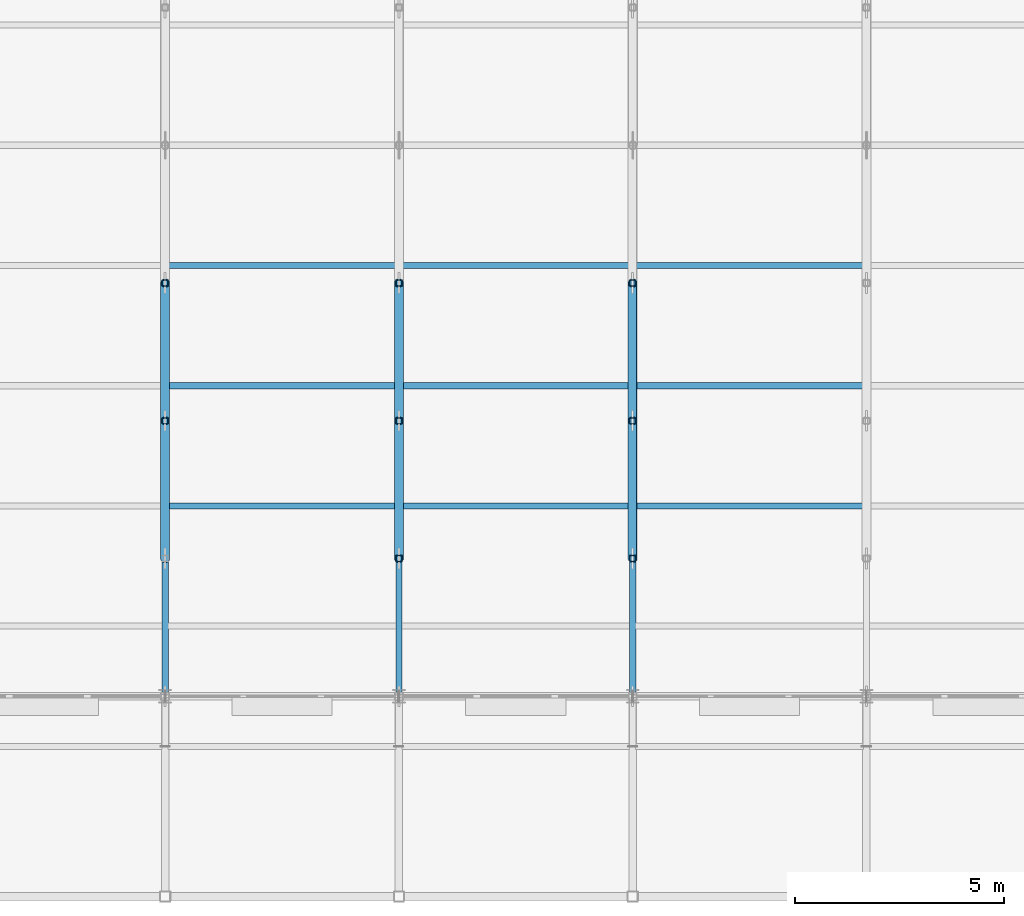
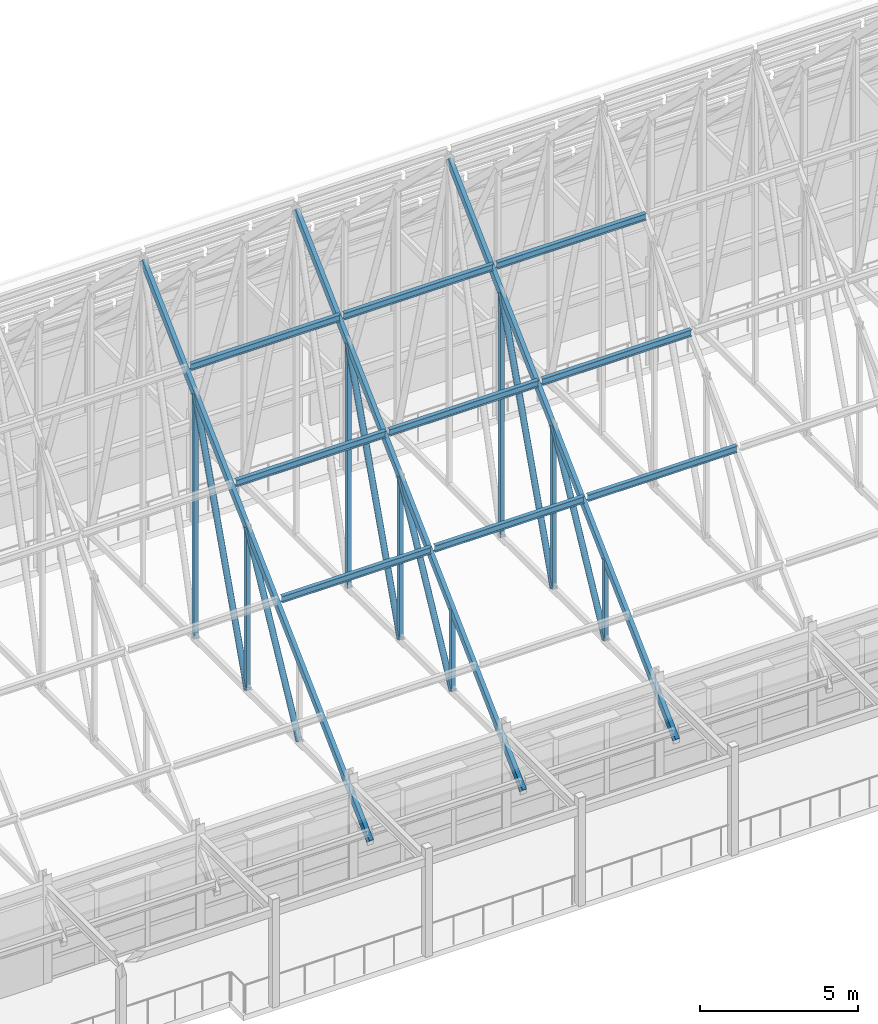
# One storey, part 25 of 144: 26 members.
"""IFC4 building model written with IfcOpenShell, lengths in metres."""

from ifc_helpers import new_model, si_unit, direction, frame, origin, origin_2d, place, context, subcontext, project, spatial, hollow_rectangle, hollow_circle, i_section, extrude, material, material_profile, profile_set, type_object, element, save


model = new_model("IFC4")

# Units and contexts
model_context = context("Model", 3, precision=1e-05, world=origin(), true_north=direction((0.0, 1.0)))
body_context = subcontext(model_context, "Body", "Model", "MODEL_VIEW")
ifc_project = project(units=[si_unit("LENGTHUNIT", "METRE"), si_unit("AREAUNIT", "SQUARE_METRE"), si_unit("VOLUMEUNIT", "CUBIC_METRE"), si_unit("PLANEANGLEUNIT", "RADIAN"), si_unit("MASSUNIT", "GRAM", prefix="KILO")], contexts=[model_context])

# Site, building, storey
site_placement = place(None, origin())
site = spatial("IfcSite", under=ifc_project, at=site_placement, CompositionType="ELEMENT")
building_placement = place(site_placement, origin())
building = spatial("IfcBuilding", under=site, at=building_placement, Name="Trelmorton Wharf Fire Station", CompositionType="ELEMENT")
storey_placement = place(building_placement, frame((0.0, 0.0, 5.39990234375)))
storey = spatial("IfcBuildingStorey", under=building, at=storey_placement, Name="L01", CompositionType="ELEMENT", Elevation=5.39990234375)

# Members
ifc_material_1 = material(Name="Steel Grade 300 (300 MPa)", Category="steel")
ifc_material_profile_1 = material_profile(ifc_material_1, i_section(OverallWidth=0.14599609375, OverallDepth=0.256103515625, WebThickness=0.00634765625, FlangeThickness=0.010986328125, FilletRadius=0.0087890625, at=origin_2d()), Name="250UB37.3")
ifc_profile_set_1 = profile_set([ifc_material_profile_1], Name="Steel Grade 300 (300 MPa)")
member_type_1 = type_object("IfcMemberType", Name="PR_250UB37", PredefinedType="PURLIN", material=ifc_profile_set_1)
for number, where, z_axis, x_axis, name in (
    (1, (17.672119140625, 12.360107421875, 8.064453125), (1.0, 0.0, 0.0), (0.0, 1.0, 0.0), "V1-PR-B04-S2"),
    (2, (17.672119140625, 15.239990234375, 10.8134765625), (1.0, 0.0, 0.0), (0.0, 1.0, 0.0), "V1-PR-B04-S3"),
    (3, (17.672119140625, 18.1201171875, 13.5625), (1.0, 0.0, 0.0), (0.0, 1.0, 0.0), "V1-PR-B04-S4"),
):
    element("IfcMember", number, at=place(storey_placement, frame(where, z_axis=z_axis, x_axis=x_axis)), inside=storey, type_object=member_type_1, Name=name, PredefinedType="PURLIN", context=body_context, shape_type="SweptSolid", body=[
        extrude(i_section(OverallWidth=0.14599609375, OverallDepth=0.256103515625, WebThickness=0.00634765625, FlangeThickness=0.010986328125, FilletRadius=0.0087890625, at=origin_2d()), origin(), (0.0, 0.0, 1.0), 5.455810546875),
    ])
for number, where, z_axis, x_axis, name in (
    (4, (23.27197265625, 12.360107421875, 8.064453125), (1.0, 0.0, 0.0), (0.0, 1.0, 0.0), "V1-PR-B05-S2"),
    (5, (23.27197265625, 15.239990234375, 10.8134765625), (1.0, 0.0, 0.0), (0.0, 1.0, 0.0), "V1-PR-B05-S3"),
    (6, (23.27197265625, 18.1201171875, 13.5625), (1.0, 0.0, 0.0), (0.0, 1.0, 0.0), "V1-PR-B05-S4"),
):
    element("IfcMember", number, at=place(storey_placement, frame(where, z_axis=z_axis, x_axis=x_axis)), inside=storey, type_object=member_type_1, Name=name, PredefinedType="PURLIN", context=body_context, shape_type="SweptSolid", body=[
        extrude(i_section(OverallWidth=0.14599609375, OverallDepth=0.256103515625, WebThickness=0.00634765625, FlangeThickness=0.010986328125, FilletRadius=0.0087890625, at=origin_2d()), origin(), (0.0, 0.0, 1.0), 5.4560546875),
    ])
for number, where, z_axis, x_axis, name in (
    (7, (28.8720703125, 12.360107421875, 8.064453125), (1.0, 0.0, 0.0), (0.0, 1.0, 0.0), "V1-PR-B06-S2"),
    (8, (28.8720703125, 15.239990234375, 10.8134765625), (1.0, 0.0, 0.0), (0.0, 1.0, 0.0), "V1-PR-B06-S3"),
    (9, (28.8720703125, 18.1201171875, 13.5625), (1.0, 0.0, 0.0), (0.0, 1.0, 0.0), "V1-PR-B06-S4"),
):
    element("IfcMember", number, at=place(storey_placement, frame(where, z_axis=z_axis, x_axis=x_axis)), inside=storey, type_object=member_type_1, Name=name, PredefinedType="PURLIN", context=body_context, shape_type="SweptSolid", body=[
        extrude(i_section(OverallWidth=0.14599609375, OverallDepth=0.256103515625, WebThickness=0.00634765625, FlangeThickness=0.010986328125, FilletRadius=0.0087890625, at=origin_2d()), origin(), (0.0, 0.0, 1.0), 5.455810546875),
    ])
ifc_material_2 = material(Name="Steel C350L0 (350 MPa)", Category="steel")
ifc_material_profile_2 = material_profile(ifc_material_2, hollow_circle(Radius=0.109619140625, WallThickness=0.00830078125, at=origin_2d()), Name="219.1x8.2CHS")
ifc_profile_set_2 = profile_set([ifc_material_profile_2], Name="Steel C350L0 (350 MPa)")
member_type_2 = type_object("IfcMemberType", Name="TR_DIAG_219CHS", PredefinedType="STRUT", material=ifc_profile_set_2)
member_1_placement = place(storey_placement, frame((17.60009765625, 11.10009765625, 3.351806640625), z_axis=(0.0, 0.463982622554, 0.8858443012), x_axis=(-1.0, 0.0, 0.0)))
element("IfcMember", 10, at=member_1_placement, inside=storey, type_object=member_type_2, Name="V1-TR04-DG-S1", PredefinedType="STRUT", context=body_context, shape_type="SweptSolid", body=[
    extrude(hollow_circle(Radius=0.109619140625, WallThickness=0.00830078125, at=origin_2d()), origin(), (0.0, 0.0, 1.0), 7.11181640625),
])
member_2_placement = place(storey_placement, frame((17.60009765625, 14.39990234375, 3.351806640625), z_axis=(0.0, 0.329681107508, 0.944092351072), x_axis=(-1.0, 0.0, 0.0)))
element("IfcMember", 11, at=member_2_placement, inside=storey, type_object=member_type_2, Name="V1-TR04-DG-S2", PredefinedType="STRUT", context=body_context, shape_type="SweptSolid", body=[
    extrude(hollow_circle(Radius=0.109619140625, WallThickness=0.00830078125, at=origin_2d()), origin(), (0.0, 0.0, 1.0), 10.009765625),
])
member_3_placement = place(storey_placement, frame((23.199951171875, 11.10009765625, 3.351806640625), z_axis=(0.0, 0.463982622554, 0.8858443012), x_axis=(-1.0, 0.0, 0.0)))
element("IfcMember", 12, at=member_3_placement, inside=storey, type_object=member_type_2, Name="V1-TR05-DG-S1", PredefinedType="STRUT", context=body_context, shape_type="SweptSolid", body=[
    extrude(hollow_circle(Radius=0.109619140625, WallThickness=0.00830078125, at=origin_2d()), origin(), (0.0, 0.0, 1.0), 7.11181640625),
])
member_4_placement = place(storey_placement, frame((23.199951171875, 14.39990234375, 3.351806640625), z_axis=(0.0, 0.329681107508, 0.944092351072), x_axis=(-1.0, 0.0, 0.0)))
element("IfcMember", 13, at=member_4_placement, inside=storey, type_object=member_type_2, Name="V1-TR05-DG-S2", PredefinedType="STRUT", context=body_context, shape_type="SweptSolid", body=[
    extrude(hollow_circle(Radius=0.109619140625, WallThickness=0.00830078125, at=origin_2d()), origin(), (0.0, 0.0, 1.0), 10.009765625),
])
member_5_placement = place(storey_placement, frame((28.800048828125, 11.10009765625, 3.351806640625), z_axis=(0.0, 0.463982622554, 0.8858443012), x_axis=(-1.0, 0.0, 0.0)))
element("IfcMember", 14, at=member_5_placement, inside=storey, type_object=member_type_2, Name="V1-TR06-DG-S1", PredefinedType="STRUT", context=body_context, shape_type="SweptSolid", body=[
    extrude(hollow_circle(Radius=0.109619140625, WallThickness=0.00830078125, at=origin_2d()), origin(), (0.0, 0.0, 1.0), 7.11181640625),
])
member_6_placement = place(storey_placement, frame((28.800048828125, 14.39990234375, 3.351806640625), z_axis=(0.0, 0.329681107508, 0.944092351072), x_axis=(-1.0, 0.0, 0.0)))
element("IfcMember", 15, at=member_6_placement, inside=storey, type_object=member_type_2, Name="V1-TR06-DG-S2", PredefinedType="STRUT", context=body_context, shape_type="SweptSolid", body=[
    extrude(hollow_circle(Radius=0.109619140625, WallThickness=0.00830078125, at=origin_2d()), origin(), (0.0, 0.0, 1.0), 10.009765625),
])
ifc_material_profile_3 = material_profile(ifc_material_2, hollow_rectangle(XDim=0.14990234375, YDim=0.14990234375, WallThickness=0.009033203125, at=origin_2d()), Name="150x150x9.0SHS")
ifc_profile_set_3 = profile_set([ifc_material_profile_3], Name="Steel C350L0 (350 MPa)")
member_type_3 = type_object("IfcMemberType", Name="TR_POST_150SHS", PredefinedType="POST", material=ifc_profile_set_3)
member_7_placement = place(storey_placement, frame((17.60009765625, 14.39990234375, 3.351806640625), z_axis=(0.0, 0.0, 1.0), x_axis=(1.0, 0.0, 0.0)))
element("IfcMember", 16, at=member_7_placement, inside=storey, type_object=member_type_3, Name="V1-TR04-VP-S2", PredefinedType="POST", context=body_context, shape_type="SweptSolid", body=[
    extrude(hollow_rectangle(XDim=0.14990234375, YDim=0.14990234375, WallThickness=0.009033203125, at=origin_2d()), origin(), (0.0, 0.0, 1.0), 6.300048828125),
])
member_8_placement = place(storey_placement, frame((17.60009765625, 17.699951171875, 3.351806640625), z_axis=(0.0, 0.0, 1.0), x_axis=(1.0, 0.0, 0.0)))
element("IfcMember", 17, at=member_8_placement, inside=storey, type_object=member_type_3, Name="V1-TR04-VP-S3", PredefinedType="POST", context=body_context, shape_type="SweptSolid", body=[
    extrude(hollow_rectangle(XDim=0.14990234375, YDim=0.14990234375, WallThickness=0.009033203125, at=origin_2d()), origin(), (0.0, 0.0, 1.0), 9.4501953125),
])
member_9_placement = place(storey_placement, frame((23.199951171875, 11.10009765625, 3.351806640625), z_axis=(0.0, 0.0, 1.0), x_axis=(1.0, 0.0, 0.0)))
element("IfcMember", 18, at=member_9_placement, inside=storey, type_object=member_type_3, Name="V1-TR05-VP-S1", PredefinedType="POST", context=body_context, shape_type="SweptSolid", body=[
    extrude(hollow_rectangle(XDim=0.14990234375, YDim=0.14990234375, WallThickness=0.009033203125, at=origin_2d()), origin(), (0.0, 0.0, 1.0), 3.150146484375),
])
member_10_placement = place(storey_placement, frame((23.199951171875, 14.39990234375, 3.351806640625), z_axis=(0.0, 0.0, 1.0), x_axis=(1.0, 0.0, 0.0)))
element("IfcMember", 19, at=member_10_placement, inside=storey, type_object=member_type_3, Name="V1-TR05-VP-S2", PredefinedType="POST", context=body_context, shape_type="SweptSolid", body=[
    extrude(hollow_rectangle(XDim=0.14990234375, YDim=0.14990234375, WallThickness=0.009033203125, at=origin_2d()), origin(), (0.0, 0.0, 1.0), 6.300048828125),
])
member_11_placement = place(storey_placement, frame((23.199951171875, 17.699951171875, 3.351806640625), z_axis=(0.0, 0.0, 1.0), x_axis=(1.0, 0.0, 0.0)))
element("IfcMember", 20, at=member_11_placement, inside=storey, type_object=member_type_3, Name="V1-TR05-VP-S3", PredefinedType="POST", context=body_context, shape_type="SweptSolid", body=[
    extrude(hollow_rectangle(XDim=0.14990234375, YDim=0.14990234375, WallThickness=0.009033203125, at=origin_2d()), origin(), (0.0, 0.0, 1.0), 9.4501953125),
])
member_12_placement = place(storey_placement, frame((28.800048828125, 11.10009765625, 3.351806640625), z_axis=(0.0, 0.0, 1.0), x_axis=(1.0, 0.0, 0.0)))
element("IfcMember", 21, at=member_12_placement, inside=storey, type_object=member_type_3, Name="V1-TR06-VP-S1", PredefinedType="POST", context=body_context, shape_type="SweptSolid", body=[
    extrude(hollow_rectangle(XDim=0.14990234375, YDim=0.14990234375, WallThickness=0.009033203125, at=origin_2d()), origin(), (0.0, 0.0, 1.0), 3.150146484375),
])
member_13_placement = place(storey_placement, frame((28.800048828125, 14.39990234375, 3.351806640625), z_axis=(0.0, 0.0, 1.0), x_axis=(1.0, 0.0, 0.0)))
element("IfcMember", 22, at=member_13_placement, inside=storey, type_object=member_type_3, Name="V1-TR06-VP-S2", PredefinedType="POST", context=body_context, shape_type="SweptSolid", body=[
    extrude(hollow_rectangle(XDim=0.14990234375, YDim=0.14990234375, WallThickness=0.009033203125, at=origin_2d()), origin(), (0.0, 0.0, 1.0), 6.300048828125),
])
member_14_placement = place(storey_placement, frame((28.800048828125, 17.699951171875, 3.351806640625), z_axis=(0.0, 0.0, 1.0), x_axis=(1.0, 0.0, 0.0)))
element("IfcMember", 23, at=member_14_placement, inside=storey, type_object=member_type_3, Name="V1-TR06-VP-S3", PredefinedType="POST", context=body_context, shape_type="SweptSolid", body=[
    extrude(hollow_rectangle(XDim=0.14990234375, YDim=0.14990234375, WallThickness=0.009033203125, at=origin_2d()), origin(), (0.0, 0.0, 1.0), 9.4501953125),
])
ifc_material_profile_4 = material_profile(ifc_material_2, hollow_rectangle(XDim=0.14990234375, YDim=0.25, WallThickness=0.009033203125, at=origin_2d()), Name="250x150x9.0RHS")
ifc_profile_set_4 = profile_set([ifc_material_profile_4], Name="Steel C350L0 (350 MPa)")
member_type_4 = type_object("IfcMemberType", Name="TR_RAFT_250RHS", PredefinedType="RAFTER", material=ifc_profile_set_4)
for number, where, z_axis, x_axis, name in (
    (24, (17.60009765625, 6.60009765625, 2.206298828125), (0.0, 0.723349418794, 0.690482163659), (-1.0, 0.0, 0.0), "V1-TR04-RFS"),
    (25, (23.199951171875, 6.60009765625, 2.206298828125), (0.0, 0.723349418794, 0.690482163659), (-1.0, 0.0, 0.0), "V1-TR05-RFS"),
    (26, (28.800048828125, 6.60009765625, 2.206298828125), (0.0, 0.723349418794, 0.690482163659), (-1.0, 0.0, 0.0), "V1-TR06-RFS"),
):
    element("IfcMember", number, at=place(storey_placement, frame(where, z_axis=z_axis, x_axis=x_axis)), inside=storey, type_object=member_type_4, Name=name, PredefinedType="RAFTER", context=body_context, shape_type="SweptSolid", body=[
        extrude(hollow_rectangle(XDim=0.14990234375, YDim=0.25, WallThickness=0.009033203125, at=origin_2d()), origin(), (0.0, 0.0, 1.0), 19.9072265625),
    ])

save(model, "model.ifc")
